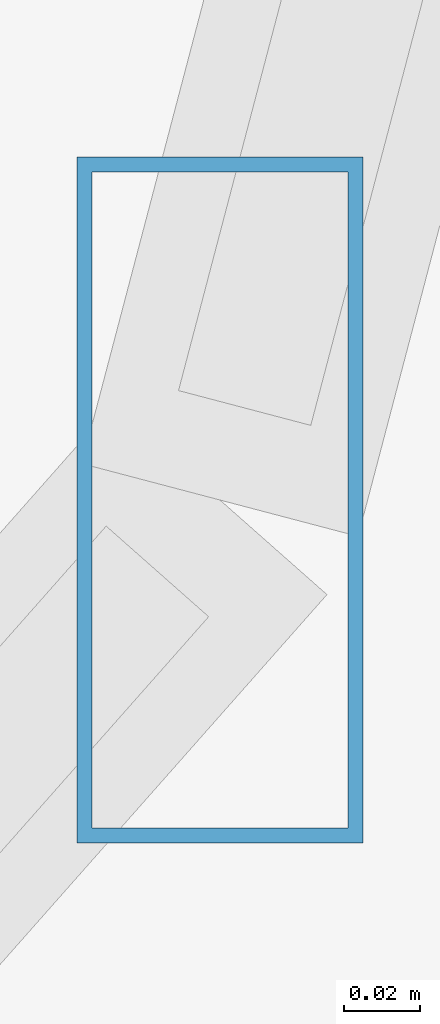
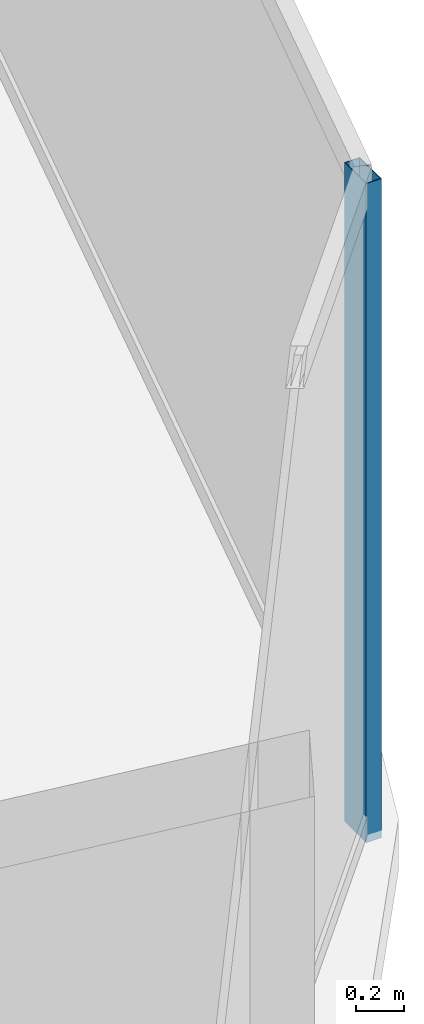
# One storey, part 14 of 32: 1 member, 1 element without a shape of its own.
"""IFC4 building model written with IfcOpenShell, lengths in metres."""

from ifc_helpers import new_model, si_unit, direction, frame, origin, origin_2d, place, context, subcontext, project, spatial, hollow_rectangle, extrude, material, material_profile, profile_set, type_object, element, aggregate, save


model = new_model("IFC4")

# Units and contexts
model_context = context("Model", 3, precision=1e-05, world=origin(), true_north=direction((0.0, 1.0)))
body_context = subcontext(model_context, "Body", "Model", "MODEL_VIEW")
ifc_project = project(units=[si_unit("LENGTHUNIT", "METRE"), si_unit("AREAUNIT", "SQUARE_METRE"), si_unit("VOLUMEUNIT", "CUBIC_METRE"), si_unit("PLANEANGLEUNIT", "RADIAN"), si_unit("MASSUNIT", "GRAM", prefix="KILO")], contexts=[model_context])

# Site, building, storey
site_placement = place(None, origin())
site = spatial("IfcSite", under=ifc_project, at=site_placement, CompositionType="ELEMENT")
building_placement = place(site_placement, origin())
building = spatial("IfcBuilding", under=site, at=building_placement, Name="Vorneva Point Tower", CompositionType="ELEMENT")
storey_placement = place(building_placement, frame((0.0, 0.0, 269.75)))
storey = spatial("IfcBuildingStorey", under=building, at=storey_placement, Name="L73", CompositionType="ELEMENT", Elevation=269.75)

# Curtain wall, member
ifc_material = material(Name="Pale anodised aluminium", Category="aluminium")
curtain_wall_type = type_object("IfcCurtainWallType", Name="CW-RES-SYS", PredefinedType="NOTDEFINED", material=ifc_material)
curtain_wall_placement = place(storey_placement, origin())
curtain_wall = element("IfcCurtainWall", 1, at=curtain_wall_placement, inside=storey, type_object=curtain_wall_type, Name="L73 Unitised Curtain Wall CW-L73-R01", PredefinedType="NOTDEFINED")
ifc_material_profile = material_profile(ifc_material, hollow_rectangle(XDim=0.074951171875, YDim=0.179931640625, WallThickness=0.00390625, at=origin_2d()), Name="AL-MUL 180x75x4")
ifc_profile_set = profile_set([ifc_material_profile], Name="Pale anodised aluminium")
member_type = type_object("IfcMemberType", Name="CW-MUL-180", PredefinedType="MULLION", material=ifc_profile_set)
member_placement = place(storey_placement, frame((62.20556640625, 18.4189453125, -0.0400390625), z_axis=(0.0, 0.0, 1.0), x_axis=(1.0, 0.0, 0.0)))
member = element("IfcMember", 2, at=member_placement, type_object=member_type, Name="CW-L73-R01 Mullion 02", PredefinedType="MULLION", context=body_context, shape_type="SweptSolid", body=[
    extrude(hollow_rectangle(XDim=0.074951171875, YDim=0.179931640625, WallThickness=0.00390625, at=origin_2d()), origin(), (0.0, 0.0, 1.0), 3.360107421875),
])
aggregate(curtain_wall, [member])

save(model, "model.ifc")
